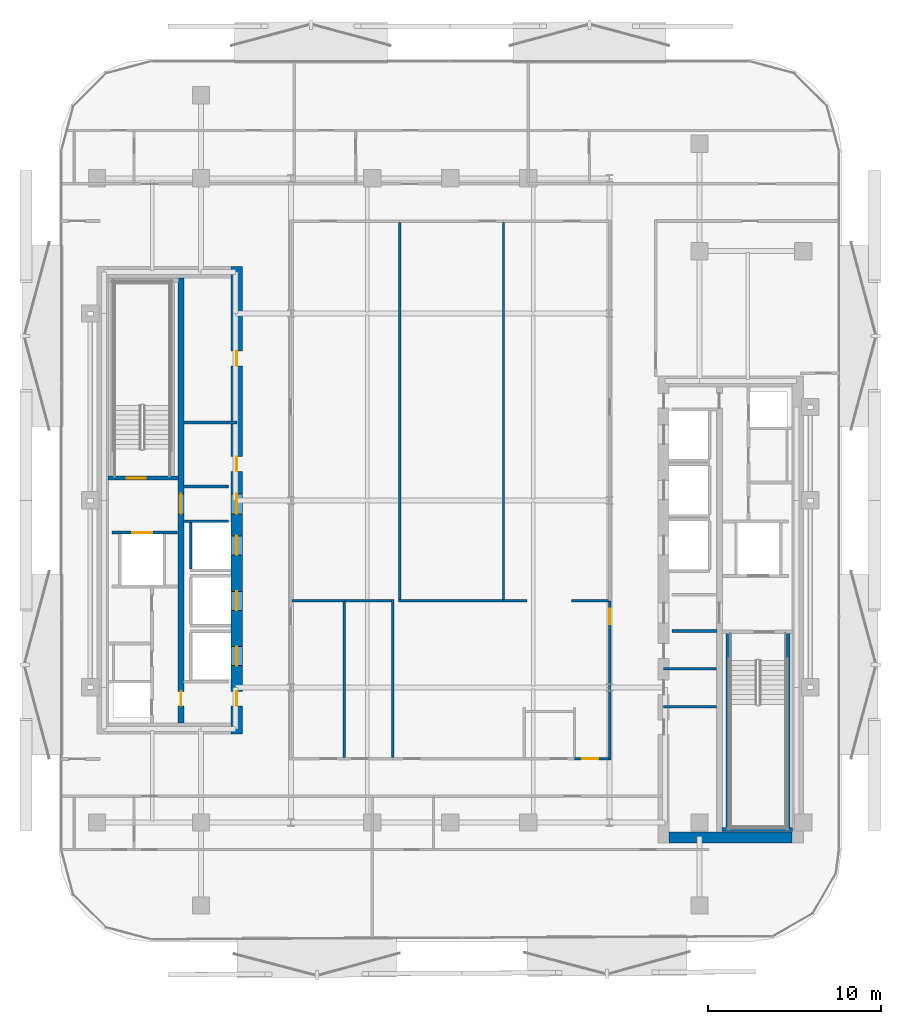
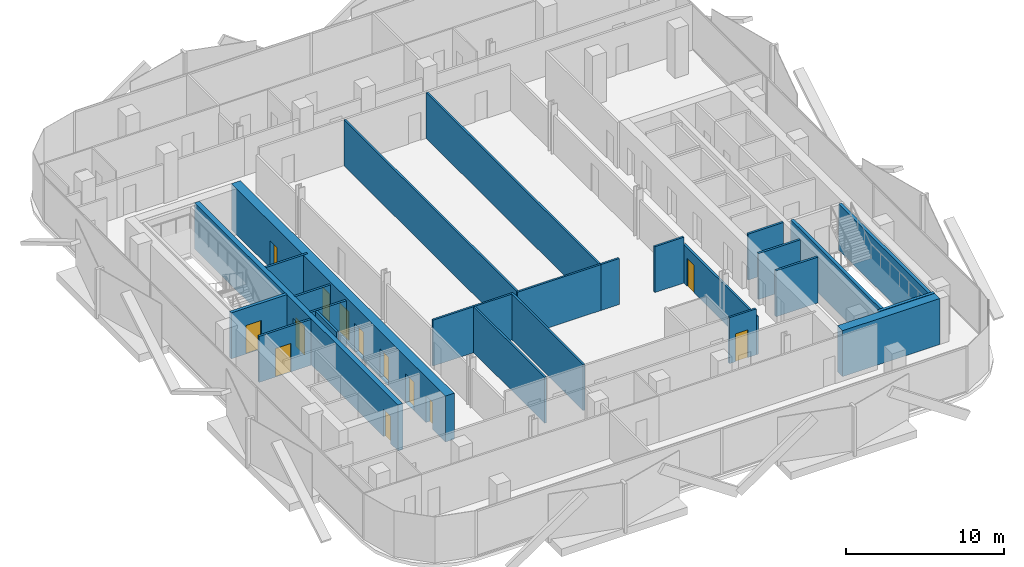
# One storey, part 4 of 16: 26 walls, 13 doors, 13 openings.
"""IFC4 building model written with IfcOpenShell, lengths in metres."""

from ifc_helpers import new_model, si_unit, direction, frame, frame_2d, origin, place, context, subcontext, project, spatial, rectangle, extrude, material, layer, layer_set, type_object, element, fill, save


model = new_model("IFC4")

# Units and contexts
model_context = context("Model", 3, precision=1e-05, world=origin(), true_north=direction((0.0, 1.0)))
body_context = subcontext(model_context, "Body", "Model", "MODEL_VIEW")
ifc_project = project(units=[si_unit("LENGTHUNIT", "METRE"), si_unit("AREAUNIT", "SQUARE_METRE"), si_unit("VOLUMEUNIT", "CUBIC_METRE"), si_unit("PLANEANGLEUNIT", "RADIAN"), si_unit("MASSUNIT", "GRAM", prefix="KILO")], contexts=[model_context])

# Site, building, storey
site_placement = place(None, origin())
site = spatial("IfcSite", under=ifc_project, at=site_placement, CompositionType="ELEMENT")
building_placement = place(site_placement, origin())
building = spatial("IfcBuilding", under=site, at=building_placement, Name="Khairoan Windgate Tower", CompositionType="ELEMENT")
storey_placement = place(building_placement, frame((0.0, 0.0, 184.0)))
storey = spatial("IfcBuildingStorey", under=building, at=storey_placement, Name="L42", CompositionType="ELEMENT", Elevation=184.0)

# Wall
ifc_material_1 = material(Name="Concrete C40/50", Category="concrete")
ifc_layer_1 = layer(ifc_material_1, 0.159912109375, Name="Concrete C40/50")
ifc_layer_set_1 = layer_set([ifc_layer_1], Name="Concrete C40/50")
wall_type_1 = type_object("IfcWallType", Name="Core and Hoistway Enclosure Wall", PredefinedType="STANDARD", material=ifc_layer_set_1)
wall_1_placement = place(storey_placement, frame((-14.989990234375, -3.949951171875, 0.0), z_axis=(0.0, 0.0, 1.0), x_axis=(0.0, 1.0, 0.0)))
element("IfcWall", 1, at=wall_1_placement, inside=storey, type_object=wall_type_1, Name="L42 Lift PL4 Hoistway Back Wall", PredefinedType="STANDARD", context=body_context, shape_type="SweptSolid", body=[
    extrude(rectangle(XDim=2.699951171875, YDim=0.159912109375, at=frame_2d((1.35009765625, 0.0))), origin(), (0.0, 0.0, 1.0), 3.5400390625),
])

# Wall, opening, door
wall_2_placement = place(storey_placement, frame((-19.550048828125, -1.860107421875, 0.0), z_axis=(0.0, 0.0, 1.0), x_axis=(1.0, 0.0, 0.0)))
wall_2 = element("IfcWall", 2, at=wall_2_placement, inside=storey, type_object=wall_type_1, Name="L42 Core Shaft Wall SW-FL2-L42", PredefinedType="STANDARD", context=body_context, shape_type="SweptSolid", body=[
    extrude(rectangle(XDim=3.800048828125, YDim=0.159912109375, at=frame_2d((1.89990234375, 0.0))), origin(), (0.0, 0.0, 1.0), 3.5400390625),
])
opening_1_placement = place(wall_2_placement, frame((1.179931640625, 0.0, 0.0)))
opening_1 = element("IfcOpeningElement", 3, at=opening_1_placement, cuts=wall_2, Name="Opening LD-FL", PredefinedType="OPENING", context=body_context, shape_type="SweptSolid", body=[
    extrude(rectangle(XDim=1.14990234375, YDim=2.199951171875, at=frame_2d((0.574951171875, 1.10009765625))), frame((0.0, 0.08984375, 0.0), z_axis=(0.0, -1.0, 0.0), x_axis=(1.0, 0.0, 0.0)), (0.0, 0.0, 1.0), 0.179931640625),
])
ifc_material_2 = material(Name="Steel S355", Category="steel")
door_type_1 = type_object("IfcDoorType", Name="Firefighting Lift Sliding Landing Door LD-FL 1150x2200", OperationType="DOUBLE_DOOR_SLIDING", PredefinedType="DOOR", material=ifc_material_2)
door_1_placement = place(opening_1_placement, origin())
door_1 = element("IfcDoor", 4, at=door_1_placement, inside=storey, type_object=door_type_1, Name="L42 Firefighting Lift FL2 Landing Door", OperationType="DOUBLE_DOOR_SLIDING", OverallHeight=2.199951171875, OverallWidth=1.14990234375, PredefinedType="DOOR", context=body_context, shape_type="SweptSolid", body=[
    extrude(rectangle(XDim=1.14990234375, YDim=2.199951171875, at=frame_2d((0.574951171875, 1.10009765625))), frame((0.0, 0.02490234375, 0.0), z_axis=(0.0, -1.0, 0.0), x_axis=(1.0, 0.0, 0.0)), (0.0, 0.0, 1.0), 0.050048828125),
])
fill(opening_1, door_1)

# Walls
for number, where, z_axis, x_axis, name in (
    (5, (-15.39990234375, 0.800048828125, 0.0), (0.0, 0.0, 1.0), (1.0, 0.0, 0.0), "L42 Core Shaft Wall SW-WV1-L42"),
    (6, (-15.39990234375, -1.199951171875, 0.0), (0.0, 0.0, 1.0), (1.0, 0.0, 0.0), "L42 Core Shaft Wall SW-WV2-L42"),
    (7, (12.800048828125, -7.5400390625, 0.0), (0.0, 0.0, 1.0), (1.0, 0.0, 0.0), "L42 Core Shaft Wall SW-EV2-L42"),
):
    element("IfcWall", number, at=place(storey_placement, frame(where, z_axis=z_axis, x_axis=x_axis)), inside=storey, type_object=wall_type_1, Name=name, PredefinedType="STANDARD", context=body_context, shape_type="SweptSolid", body=[
        extrude(rectangle(XDim=2.599853515625, YDim=0.159912109375, at=frame_2d((1.2998046875, 0.0))), origin(), (0.0, 0.0, 1.0), 3.5400390625),
    ])
ifc_material_3 = material(Name="Acoustic Fire-Rated Gypsum Partition", Category="gypsum")
ifc_layer_2 = layer(ifc_material_3, 0.139892578125, Name="Acoustic Fire-Rated Gypsum Partition")
ifc_layer_set_2 = layer_set([ifc_layer_2], Name="Acoustic Fire-Rated Gypsum Partition")
wall_type_2 = type_object("IfcWallType", Name="Inter-Tenancy Compartment Wall", PredefinedType="PARTITIONING", material=ifc_layer_set_2)
wall_3_placement = place(storey_placement, frame((-6.1201171875, -14.844970703125, 0.0), z_axis=(0.0, 0.0, 1.0), x_axis=(0.0, 1.0, 0.0)))
element("IfcWall", 8, at=wall_3_placement, inside=storey, type_object=wall_type_2, Name="L42 Interior Partition 040", PredefinedType="PARTITIONING", context=body_context, shape_type="SweptSolid", body=[
    extrude(rectangle(XDim=8.974853515625, YDim=0.139892578125, at=frame_2d((4.4873046875, 0.0))), origin(), (0.0, 0.0, 1.0), 3.5400390625),
])
wall_4_placement = place(storey_placement, frame((-9.14501953125, -5.800048828125, 0.0), z_axis=(0.0, 0.0, 1.0), x_axis=(1.0, 0.0, 0.0)))
element("IfcWall", 9, at=wall_4_placement, inside=storey, type_object=wall_type_2, Name="L42 Interior Partition 041", PredefinedType="PARTITIONING", context=body_context, shape_type="SweptSolid", body=[
    extrude(rectangle(XDim=3.02490234375, YDim=0.139892578125, at=frame_2d((1.512451171875, 0.0))), origin(), (0.0, 0.0, 1.0), 3.5400390625),
])
wall_5_placement = place(storey_placement, frame((-3.320068359375, -14.844970703125, 0.0), z_axis=(0.0, 0.0, 1.0), x_axis=(0.0, 1.0, 0.0)))
element("IfcWall", 10, at=wall_5_placement, inside=storey, type_object=wall_type_2, Name="L42 Interior Partition 042", PredefinedType="PARTITIONING", context=body_context, shape_type="SweptSolid", body=[
    extrude(rectangle(XDim=9.114990234375, YDim=0.139892578125, at=frame_2d((4.5576171875, 0.0))), origin(), (0.0, 0.0, 1.0), 3.5400390625),
])
wall_6_placement = place(storey_placement, frame((-6.1201171875, -5.800048828125, 0.0), z_axis=(0.0, 0.0, 1.0), x_axis=(1.0, 0.0, 0.0)))
element("IfcWall", 11, at=wall_6_placement, inside=storey, type_object=wall_type_2, Name="L42 Interior Partition 043", PredefinedType="PARTITIONING", context=body_context, shape_type="SweptSolid", body=[
    extrude(rectangle(XDim=2.730224609375, YDim=0.139892578125, at=frame_2d((1.365234375, 0.0))), origin(), (0.0, 0.0, 1.0), 3.5400390625),
])
wall_7_placement = place(storey_placement, frame((-2.989990234375, -5.800048828125, 0.0), z_axis=(0.0, 0.0, 1.0), x_axis=(1.0, 0.0, 0.0)))
element("IfcWall", 12, at=wall_7_placement, inside=storey, type_object=wall_type_2, Name="L42 Interior Partition 045", PredefinedType="PARTITIONING", context=body_context, shape_type="SweptSolid", body=[
    extrude(rectangle(XDim=6.070068359375, YDim=0.139892578125, at=frame_2d((3.03515625, 0.0))), origin(), (0.0, 0.0, 1.0), 3.5400390625),
])
wall_8_placement = place(storey_placement, frame((3.080078125, -5.800048828125, 0.0), z_axis=(0.0, 0.0, 1.0), x_axis=(1.0, 0.0, 0.0)))
element("IfcWall", 13, at=wall_8_placement, inside=storey, type_object=wall_type_2, Name="L42 Interior Partition 046", PredefinedType="PARTITIONING", context=body_context, shape_type="SweptSolid", body=[
    extrude(rectangle(XDim=1.35986328125, YDim=0.139892578125, at=frame_2d((0.679931640625, 0.0))), origin(), (0.0, 0.0, 1.0), 3.5400390625),
])
wall_9_placement = place(storey_placement, frame((7.02001953125, -5.800048828125, 0.0), z_axis=(0.0, 0.0, 1.0), x_axis=(1.0, 0.0, 0.0)))
element("IfcWall", 14, at=wall_9_placement, inside=storey, type_object=wall_type_2, Name="L42 Interior Partition 048", PredefinedType="PARTITIONING", context=body_context, shape_type="SweptSolid", body=[
    extrude(rectangle(XDim=2.125, YDim=0.139892578125, at=frame_2d((1.0625, 0.0))), origin(), (0.0, 0.0, 1.0), 3.5400390625),
])
for number, where, z_axis, x_axis, name in (
    (15, (-2.919921875, -5.72998046875, 0.0), (0.0, 0.0, 1.0), (0.0, 1.0, 0.0), "L42 Interior Partition 049"),
    (16, (3.080078125, -5.72998046875, 0.0), (0.0, 0.0, 1.0), (0.0, 1.0, 0.0), "L42 Interior Partition 050"),
):
    element("IfcWall", number, at=place(storey_placement, frame(where, z_axis=z_axis, x_axis=x_axis)), inside=storey, type_object=wall_type_2, Name=name, PredefinedType="PARTITIONING", context=body_context, shape_type="SweptSolid", body=[
        extrude(rectangle(XDim=21.77490234375, YDim=0.139892578125, at=frame_2d((10.887451171875, 0.0))), origin(), (0.0, 0.0, 1.0), 3.5400390625),
    ])
ifc_material_4 = material(Name="Concrete C40/50", Category="concrete")
ifc_layer_3 = layer(ifc_material_4, 0.159912109375, Name="Concrete C40/50")
ifc_layer_set_3 = layer_set([ifc_layer_3], Name="Concrete C40/50")
wall_type_3 = type_object("IfcWallType", Name="Plant and Refuge Compartment Wall", PredefinedType="PARTITIONING", material=ifc_layer_set_3)
for number, where, z_axis, x_axis, name in (
    (17, (-15.375, 4.5, 0.0), (0.0, 0.0, 1.0), (1.0, 0.0, 0.0), "L42 Interior Partition 006"),
    (18, (12.31005859375, -11.919921875, 0.0), (0.0, 0.0, 1.0), (1.0, 0.0, 0.0), "L42 Interior Partition 012"),
    (19, (12.31005859375, -9.719970703125, 0.0), (0.0, 0.0, 1.0), (1.0, 0.0, 0.0), "L42 Interior Partition 013"),
):
    element("IfcWall", number, at=place(storey_placement, frame(where, z_axis=z_axis, x_axis=x_axis)), inside=storey, type_object=wall_type_3, Name=name, PredefinedType="PARTITIONING", context=body_context, shape_type="SweptSolid", body=[
        extrude(rectangle(XDim=3.06494140625, YDim=0.159912109375, at=frame_2d((1.532470703125, 0.0))), origin(), (0.0, 0.0, 1.0), 3.5400390625),
    ])

# Wall, opening, door
ifc_material_5 = material(Name="Acoustic Fire-Rated Gypsum Partition", Category="gypsum")
ifc_layer_4 = layer(ifc_material_5, 0.14990234375, Name="Acoustic Fire-Rated Gypsum Partition")
ifc_layer_set_4 = layer_set([ifc_layer_4], Name="Acoustic Fire-Rated Gypsum Partition")
wall_type_4 = type_object("IfcWallType", Name="Rated Corridor Partition Wall", PredefinedType="PARTITIONING", material=ifc_layer_set_4)
wall_10_placement = place(storey_placement, frame((9.219970703125, -14.9951171875, 0.0), z_axis=(0.0, 0.0, 1.0), x_axis=(0.0, 1.0, 0.0)))
wall_10 = element("IfcWall", 20, at=wall_10_placement, inside=storey, type_object=wall_type_4, Name="L42 Interior Partition 016", PredefinedType="PARTITIONING", context=body_context, shape_type="SweptSolid", body=[
    extrude(rectangle(XDim=9.195068359375, YDim=0.14990234375, at=frame_2d((4.59765625, 0.0))), origin(), (0.0, 0.0, 1.0), 2.951904296875),
])
opening_2_placement = place(wall_10_placement, frame((7.8349609375, 0.0, 0.0)))
opening_2 = element("IfcOpeningElement", 21, at=opening_2_placement, cuts=wall_10, Name="Opening FD-ENT", PredefinedType="OPENING", context=body_context, shape_type="SweptSolid", body=[
    extrude(rectangle(XDim=0.89990234375, YDim=2.14990234375, at=frame_2d((0.449951171875, 1.074951171875))), frame((0.0, 0.0849609375, 0.0), z_axis=(0.0, -1.0, 0.0), x_axis=(1.0, 0.0, 0.0)), (0.0, 0.0, 1.0), 0.169921875),
])
ifc_material_6 = material(Name="Timber Fire-Rated Core", Category="wood")
door_type_2 = type_object("IfcDoorType", Name="Unit and Office Fire Entrance Door FD-ENT 900x2150", OperationType="NOTDEFINED", PredefinedType="DOOR", material=ifc_material_6)
door_2_placement = place(opening_2_placement, origin())
door_2 = element("IfcDoor", 22, at=door_2_placement, inside=storey, type_object=door_type_2, Name="L42 L42-31-L42-38 Door", OperationType="SINGLE_SWING_LEFT", OverallHeight=2.14990234375, OverallWidth=0.89990234375, PredefinedType="DOOR", context=body_context, shape_type="SweptSolid", body=[
    extrude(rectangle(XDim=0.89990234375, YDim=2.14990234375, at=frame_2d((0.449951171875, 1.074951171875))), frame((0.0, 0.02490234375, 0.0), z_axis=(0.0, -1.0, 0.0), x_axis=(1.0, 0.0, 0.0)), (0.0, 0.0, 1.0), 0.050048828125),
])
fill(opening_2, door_2)

wall_11_placement = place(storey_placement, frame((7.179931640625, -14.919921875, 0.0), z_axis=(0.0, 0.0, 1.0), x_axis=(1.0, 0.0, 0.0)))
wall_11 = element("IfcWall", 23, at=wall_11_placement, inside=storey, type_object=wall_type_4, Name="L42 Interior Partition 034", PredefinedType="PARTITIONING", context=body_context, shape_type="SweptSolid", body=[
    extrude(rectangle(XDim=1.965087890625, YDim=0.14990234375, at=frame_2d((0.982421875, 0.0))), origin(), (0.0, 0.0, 1.0), 3.5400390625),
])
opening_3_placement = place(wall_11_placement, frame((0.4599609375, 0.0, 0.0)))
opening_3 = element("IfcOpeningElement", 24, at=opening_3_placement, cuts=wall_11, Name="Opening FD-ENT", PredefinedType="OPENING", context=body_context, shape_type="SweptSolid", body=[
    extrude(rectangle(XDim=0.89990234375, YDim=2.14990234375, at=frame_2d((0.449951171875, 1.074951171875))), frame((0.0, 0.0849609375, 0.0), z_axis=(0.0, -1.0, 0.0), x_axis=(1.0, 0.0, 0.0)), (0.0, 0.0, 1.0), 0.169921875),
])
door_3_placement = place(opening_3_placement, origin())
door_3 = element("IfcDoor", 25, at=door_3_placement, inside=storey, type_object=door_type_2, Name="L42 L42-33-L42-38 Door", OperationType="SINGLE_SWING_RIGHT", OverallHeight=2.14990234375, OverallWidth=0.89990234375, PredefinedType="DOOR", context=body_context, shape_type="SweptSolid", body=[
    extrude(rectangle(XDim=0.89990234375, YDim=2.14990234375, at=frame_2d((0.449951171875, 1.074951171875))), frame((0.0, 0.02490234375, 0.0), z_axis=(0.0, -1.0, 0.0), x_axis=(1.0, 0.0, 0.0)), (0.0, 0.0, 1.0), 0.050048828125),
])
fill(opening_3, door_3)

# Wall
ifc_material_7 = material(Name="Concrete C60/75", Category="concrete")
ifc_layer_5 = layer(ifc_material_7, 0.64990234375, Name="Concrete C60/75")
ifc_layer_set_5 = layer_set([ifc_layer_5], Name="Concrete C60/75")
wall_type_5 = type_object("IfcWallType", Name="Shear Wall CW-E2 650mm", PredefinedType="SHEAR", material=ifc_layer_set_5)
wall_12_placement = place(storey_placement, frame((12.64990234375, -19.47509765625, 0.0), z_axis=(0.0, 0.0, 1.0), x_axis=(1.0, 0.0, 0.0)))
element("IfcWall", 26, at=wall_12_placement, inside=storey, type_object=wall_type_5, Name="E Core South Shear Wall L42", PredefinedType="SHEAR", context=body_context, shape_type="SweptSolid", body=[
    extrude(rectangle(XDim=7.10009765625, YDim=0.64990234375, at=frame_2d((3.550048828125, 0.0))), origin(), (0.0, 0.0, 1.0), 3.5400390625),
])

# Wall, openings, doors
ifc_material_8 = material(Name="Concrete C60/75", Category="concrete")
ifc_layer_6 = layer(ifc_material_8, 0.64990234375, Name="Concrete C60/75")
ifc_layer_set_6 = layer_set([ifc_layer_6], Name="Concrete C60/75")
wall_type_6 = type_object("IfcWallType", Name="Shear Wall CW-W2 650mm", PredefinedType="SHEAR", material=ifc_layer_set_6)
wall_13_placement = place(storey_placement, frame((-12.324951171875, -13.5, 0.0), z_axis=(0.0, 0.0, 1.0), x_axis=(0.0, 1.0, 0.0)))
wall_13 = element("IfcWall", 27, at=wall_13_placement, inside=storey, type_object=wall_type_6, Name="W Core East Shear Wall L42", PredefinedType="SHEAR", context=body_context, shape_type="SweptSolid", body=[
    extrude(rectangle(XDim=27.0, YDim=0.64990234375, at=frame_2d((13.5, 0.0))), origin(), (0.0, 0.0, 1.0), 3.5400390625),
])
opening_4_placement = place(wall_13_placement, frame((10.35009765625, 0.0, 0.0)))
opening_4 = element("IfcOpeningElement", 28, at=opening_4_placement, cuts=wall_13, Name="Opening LD-PL", PredefinedType="OPENING", context=body_context, shape_type="SweptSolid", body=[
    extrude(rectangle(XDim=1.10009765625, YDim=2.199951171875, at=frame_2d((0.550048828125, 1.10009765625))), frame((0.0, 0.3349609375, 0.0), z_axis=(0.0, -1.0, 0.0), x_axis=(1.0, 0.0, 0.0)), (0.0, 0.0, 1.0), 0.669921875),
])
opening_5_placement = place(wall_13_placement, frame((7.14990234375, 0.0, 0.0)))
opening_5 = element("IfcOpeningElement", 29, at=opening_5_placement, cuts=wall_13, Name="Opening LD-PL", PredefinedType="OPENING", context=body_context, shape_type="SweptSolid", body=[
    extrude(rectangle(XDim=1.10009765625, YDim=2.199951171875, at=frame_2d((0.550048828125, 1.10009765625))), frame((0.0, 0.3349609375, 0.0), z_axis=(0.0, -1.0, 0.0), x_axis=(1.0, 0.0, 0.0)), (0.0, 0.0, 1.0), 0.669921875),
])
opening_6_placement = place(wall_13_placement, frame((3.949951171875, 0.0, 0.0)))
opening_6 = element("IfcOpeningElement", 30, at=opening_6_placement, cuts=wall_13, Name="Opening LD-PL", PredefinedType="OPENING", context=body_context, shape_type="SweptSolid", body=[
    extrude(rectangle(XDim=1.10009765625, YDim=2.199951171875, at=frame_2d((0.550048828125, 1.10009765625))), frame((0.0, 0.3349609375, 0.0), z_axis=(0.0, -1.0, 0.0), x_axis=(1.0, 0.0, 0.0)), (0.0, 0.0, 1.0), 0.669921875),
])
opening_7_placement = place(wall_13_placement, frame((15.175048828125, 0.0, 0.0)))
opening_7 = element("IfcOpeningElement", 31, at=opening_7_placement, cuts=wall_13, Name="Opening FD-SRV", PredefinedType="OPENING", context=body_context, shape_type="SweptSolid", body=[
    extrude(rectangle(XDim=0.85009765625, YDim=2.10009765625, at=frame_2d((0.425048828125, 1.050048828125))), frame((0.0, 0.3349609375, 0.0), z_axis=(0.0, -1.0, 0.0), x_axis=(1.0, 0.0, 0.0)), (0.0, 0.0, 1.0), 0.669921875),
])
opening_8_placement = place(wall_13_placement, frame((21.27490234375, 0.0, 0.0)))
opening_8 = element("IfcOpeningElement", 32, at=opening_8_placement, cuts=wall_13, Name="Opening FD-SRV", PredefinedType="OPENING", context=body_context, shape_type="SweptSolid", body=[
    extrude(rectangle(XDim=0.85009765625, YDim=2.10009765625, at=frame_2d((0.425048828125, 1.050048828125))), frame((0.0, 0.3349609375, 0.0), z_axis=(0.0, -1.0, 0.0), x_axis=(1.0, 0.0, 0.0)), (0.0, 0.0, 1.0), 0.669921875),
])
opening_9_placement = place(wall_13_placement, frame((12.72509765625, 0.0, 0.0)))
opening_9 = element("IfcOpeningElement", 33, at=opening_9_placement, cuts=wall_13, Name="Opening FD-FFL", PredefinedType="OPENING", context=body_context, shape_type="SweptSolid", body=[
    extrude(rectangle(XDim=1.14990234375, YDim=2.199951171875, at=frame_2d((0.574951171875, 1.10009765625))), frame((0.0, 0.3349609375, 0.0), z_axis=(0.0, -1.0, 0.0), x_axis=(1.0, 0.0, 0.0)), (0.0, 0.0, 1.0), 0.669921875),
])
opening_10_placement = place(wall_13_placement, frame((1.625, 0.0, 0.0)))
opening_10 = element("IfcOpeningElement", 34, at=opening_10_placement, cuts=wall_13, Name="Opening FD-SRV", PredefinedType="OPENING", context=body_context, shape_type="SweptSolid", body=[
    extrude(rectangle(XDim=0.85009765625, YDim=2.10009765625, at=frame_2d((0.425048828125, 1.050048828125))), frame((0.0, 0.3349609375, 0.0), z_axis=(0.0, -1.0, 0.0), x_axis=(1.0, 0.0, 0.0)), (0.0, 0.0, 1.0), 0.669921875),
])
ifc_material_9 = material(Name="Steel S355", Category="steel")
door_type_3 = type_object("IfcDoorType", Name="Core Service and Riser Fire Door FD-SRV 850x2100", OperationType="NOTDEFINED", PredefinedType="DOOR", material=ifc_material_9)
door_4_placement = place(opening_7_placement, origin())
door_4 = element("IfcDoor", 35, at=door_4_placement, inside=storey, type_object=door_type_3, Name="L42 Upper Core Room Door B1-1", OperationType="SINGLE_SWING_RIGHT", OverallHeight=2.10009765625, OverallWidth=0.85009765625, PredefinedType="DOOR", context=body_context, shape_type="SweptSolid", body=[
    extrude(rectangle(XDim=0.85009765625, YDim=2.10009765625, at=frame_2d((0.425048828125, 1.050048828125))), frame((0.0, 0.02490234375, 0.0), z_axis=(0.0, -1.0, 0.0), x_axis=(1.0, 0.0, 0.0)), (0.0, 0.0, 1.0), 0.050048828125),
])
fill(opening_7, door_4)
door_5_placement = place(opening_8_placement, origin())
door_5 = element("IfcDoor", 36, at=door_5_placement, inside=storey, type_object=door_type_3, Name="L42 Upper Core Room Door B1-2", OperationType="SINGLE_SWING_LEFT", OverallHeight=2.10009765625, OverallWidth=0.85009765625, PredefinedType="DOOR", context=body_context, shape_type="SweptSolid", body=[
    extrude(rectangle(XDim=0.85009765625, YDim=2.10009765625, at=frame_2d((0.425048828125, 1.050048828125))), frame((0.0, 0.02490234375, 0.0), z_axis=(0.0, -1.0, 0.0), x_axis=(1.0, 0.0, 0.0)), (0.0, 0.0, 1.0), 0.050048828125),
])
fill(opening_8, door_5)
door_6_placement = place(opening_10_placement, origin())
door_6 = element("IfcDoor", 37, at=door_6_placement, inside=storey, type_object=door_type_3, Name="L42 West Core Service Vestibule Outer Door", OperationType="SINGLE_SWING_LEFT", OverallHeight=2.10009765625, OverallWidth=0.85009765625, PredefinedType="DOOR", context=body_context, shape_type="SweptSolid", body=[
    extrude(rectangle(XDim=0.85009765625, YDim=2.10009765625, at=frame_2d((0.425048828125, 1.050048828125))), frame((0.0, 0.02490234375, 0.0), z_axis=(0.0, -1.0, 0.0), x_axis=(1.0, 0.0, 0.0)), (0.0, 0.0, 1.0), 0.050048828125),
])
fill(opening_10, door_6)
ifc_material_10 = material(Name="Steel S355", Category="steel")
door_type_4 = type_object("IfcDoorType", Name="Firefighting Lobby Fire Door FD-FFL 1150x2200", OperationType="NOTDEFINED", PredefinedType="DOOR", material=ifc_material_10)
door_7_placement = place(opening_9_placement, origin())
door_7 = element("IfcDoor", 38, at=door_7_placement, inside=storey, type_object=door_type_4, Name="L42 West Core Vestibule Entry Door", OperationType="SINGLE_SWING_LEFT", OverallHeight=2.199951171875, OverallWidth=1.14990234375, PredefinedType="DOOR", context=body_context, shape_type="SweptSolid", body=[
    extrude(rectangle(XDim=1.14990234375, YDim=2.199951171875, at=frame_2d((0.574951171875, 1.10009765625))), frame((0.0, 0.02490234375, 0.0), z_axis=(0.0, -1.0, 0.0), x_axis=(1.0, 0.0, 0.0)), (0.0, 0.0, 1.0), 0.050048828125),
])
fill(opening_9, door_7)
ifc_material_11 = material(Name="Anodised Bronze Aluminium 6063-T6", Category="aluminium")
door_type_5 = type_object("IfcDoorType", Name="Passenger Lift Sliding Landing Door LD-PL 1100x2200", OperationType="DOUBLE_DOOR_SLIDING", PredefinedType="DOOR", material=ifc_material_11)
door_8_placement = place(opening_4_placement, origin())
door_8 = element("IfcDoor", 39, at=door_8_placement, inside=storey, type_object=door_type_5, Name="L42 Lift PL4 Sliding Landing Door", OperationType="DOUBLE_DOOR_SLIDING", OverallHeight=2.199951171875, OverallWidth=1.10009765625, PredefinedType="DOOR", context=body_context, shape_type="SweptSolid", body=[
    extrude(rectangle(XDim=1.10009765625, YDim=2.199951171875, at=frame_2d((0.550048828125, 1.10009765625))), frame((0.0, 0.02490234375, 0.0), z_axis=(0.0, -1.0, 0.0), x_axis=(1.0, 0.0, 0.0)), (0.0, 0.0, 1.0), 0.050048828125),
])
fill(opening_4, door_8)
door_9_placement = place(opening_5_placement, origin())
door_9 = element("IfcDoor", 40, at=door_9_placement, inside=storey, type_object=door_type_5, Name="L42 Lift PL5 Sliding Landing Door", OperationType="DOUBLE_DOOR_SLIDING", OverallHeight=2.199951171875, OverallWidth=1.10009765625, PredefinedType="DOOR", context=body_context, shape_type="SweptSolid", body=[
    extrude(rectangle(XDim=1.10009765625, YDim=2.199951171875, at=frame_2d((0.550048828125, 1.10009765625))), frame((0.0, 0.02490234375, 0.0), z_axis=(0.0, -1.0, 0.0), x_axis=(1.0, 0.0, 0.0)), (0.0, 0.0, 1.0), 0.050048828125),
])
fill(opening_5, door_9)
door_10_placement = place(opening_6_placement, origin())
door_10 = element("IfcDoor", 41, at=door_10_placement, inside=storey, type_object=door_type_5, Name="L42 Lift PL6 Sliding Landing Door", OperationType="DOUBLE_DOOR_SLIDING", OverallHeight=2.199951171875, OverallWidth=1.10009765625, PredefinedType="DOOR", context=body_context, shape_type="SweptSolid", body=[
    extrude(rectangle(XDim=1.10009765625, YDim=2.199951171875, at=frame_2d((0.550048828125, 1.10009765625))), frame((0.0, 0.02490234375, 0.0), z_axis=(0.0, -1.0, 0.0), x_axis=(1.0, 0.0, 0.0)), (0.0, 0.0, 1.0), 0.050048828125),
])
fill(opening_6, door_10)

ifc_material_12 = material(Name="Concrete C60/75", Category="concrete")
ifc_layer_7 = layer(ifc_material_12, 0.35009765625, Name="Concrete C60/75")
ifc_layer_set_7 = layer_set([ifc_layer_7], Name="Concrete C60/75")
wall_type_7 = type_object("IfcWallType", Name="Shear Wall SW-1 350mm", PredefinedType="SHEAR", material=ifc_layer_set_7)
wall_14_placement = place(storey_placement, frame((-15.550048828125, -12.85009765625, 0.0), z_axis=(0.0, 0.0, 1.0), x_axis=(0.0, 1.0, 0.0)))
wall_14 = element("IfcWall", 42, at=wall_14_placement, inside=storey, type_object=wall_type_7, Name="W Core Spine Shear Wall L42", PredefinedType="SHEAR", context=body_context, shape_type="SweptSolid", body=[
    extrude(rectangle(XDim=25.7001953125, YDim=0.35009765625, at=frame_2d((12.85009765625, 0.0))), origin(), (0.0, 0.0, 1.0), 3.5400390625),
])
opening_11_placement = place(wall_14_placement, frame((12.074951171875, 0.0, 0.0)))
opening_11 = element("IfcOpeningElement", 43, at=opening_11_placement, cuts=wall_14, Name="Opening FD-FFL", PredefinedType="OPENING", context=body_context, shape_type="SweptSolid", body=[
    extrude(rectangle(XDim=1.14990234375, YDim=2.199951171875, at=frame_2d((0.574951171875, 1.10009765625))), frame((0.0, 0.18505859375, 0.0), z_axis=(0.0, -1.0, 0.0), x_axis=(1.0, 0.0, 0.0)), (0.0, 0.0, 1.0), 0.3701171875),
])
opening_12_placement = place(wall_14_placement, frame((0.97509765625, 0.0, 0.0)))
opening_12 = element("IfcOpeningElement", 44, at=opening_12_placement, cuts=wall_14, Name="Opening FD-SRV", PredefinedType="OPENING", context=body_context, shape_type="SweptSolid", body=[
    extrude(rectangle(XDim=0.85009765625, YDim=2.10009765625, at=frame_2d((0.425048828125, 1.050048828125))), frame((0.0, 0.18505859375, 0.0), z_axis=(0.0, -1.0, 0.0), x_axis=(1.0, 0.0, 0.0)), (0.0, 0.0, 1.0), 0.3701171875),
])
door_11_placement = place(opening_12_placement, origin())
door_11 = element("IfcDoor", 45, at=door_11_placement, inside=storey, type_object=door_type_3, Name="L42 West Core Service Passage Inner Door", OperationType="SINGLE_SWING_RIGHT", OverallHeight=2.10009765625, OverallWidth=0.85009765625, PredefinedType="DOOR", context=body_context, shape_type="SweptSolid", body=[
    extrude(rectangle(XDim=0.85009765625, YDim=2.10009765625, at=frame_2d((0.425048828125, 1.050048828125))), frame((0.0, 0.02490234375, 0.0), z_axis=(0.0, -1.0, 0.0), x_axis=(1.0, 0.0, 0.0)), (0.0, 0.0, 1.0), 0.050048828125),
])
fill(opening_12, door_11)
door_12_placement = place(opening_11_placement, origin())
door_12 = element("IfcDoor", 46, at=door_12_placement, inside=storey, type_object=door_type_4, Name="L42 West Firefighting Lobby Fire Door", OperationType="SINGLE_SWING_RIGHT", OverallHeight=2.199951171875, OverallWidth=1.14990234375, PredefinedType="DOOR", context=body_context, shape_type="SweptSolid", body=[
    extrude(rectangle(XDim=1.14990234375, YDim=2.199951171875, at=frame_2d((0.574951171875, 1.10009765625))), frame((0.0, 0.02490234375, 0.0), z_axis=(0.0, -1.0, 0.0), x_axis=(1.0, 0.0, 0.0)), (0.0, 0.0, 1.0), 0.050048828125),
])
fill(opening_11, door_12)

# Walls
ifc_material_13 = material(Name="Concrete C50/60", Category="concrete")
ifc_layer_8 = layer(ifc_material_13, 0.219970703125, Name="Concrete C50/60")
ifc_layer_set_8 = layer_set([ifc_layer_8], Name="Concrete C50/60")
wall_type_8 = type_object("IfcWallType", Name="Shear Wall SW-ST 220mm", PredefinedType="SHEAR", material=ifc_layer_set_8)
for number, where, z_axis, x_axis, name in (
    (47, (16.0400390625, -19.010009765625, 0.0), (0.0, 0.0, 1.0), (0.0, 1.0, 0.0), "L42 Stair ST1 West Bearing Wall"),
    (48, (19.530029296875, -19.010009765625, 0.0), (0.0, 0.0, 1.0), (0.0, 1.0, 0.0), "L42 Stair ST1 East Bearing Wall"),
):
    element("IfcWall", number, at=place(storey_placement, frame(where, z_axis=z_axis, x_axis=x_axis)), inside=storey, type_object=wall_type_8, Name=name, PredefinedType="SHEAR", context=body_context, shape_type="SweptSolid", body=[
        extrude(rectangle(XDim=11.419921875, YDim=0.219970703125, at=frame_2d((5.7099609375, 0.0))), origin(), (0.0, 0.0, 1.0), 3.5400390625),
    ])
wall_15_placement = place(storey_placement, frame((15.705078125, -19.010009765625, 0.0), z_axis=(0.0, 0.0, 1.0), x_axis=(1.0, 0.0, 0.0)))
element("IfcWall", 49, at=wall_15_placement, inside=storey, type_object=wall_type_8, Name="L42 Stair ST1 South Bearing Wall", PredefinedType="SHEAR", context=body_context, shape_type="SweptSolid", body=[
    extrude(rectangle(XDim=4.06494140625, YDim=0.219970703125, at=frame_2d((2.032470703125, 0.0))), origin(), (0.0, 0.0, 1.0), 3.5400390625),
])

# Wall, opening, door
wall_16_placement = place(storey_placement, frame((-19.77001953125, 1.2900390625, 0.0), z_axis=(0.0, 0.0, 1.0), x_axis=(1.0, 0.0, 0.0)))
wall_16 = element("IfcWall", 50, at=wall_16_placement, inside=storey, type_object=wall_type_8, Name="L42 Stair ST2 South Bearing Wall", PredefinedType="SHEAR", context=body_context, shape_type="SweptSolid", body=[
    extrude(rectangle(XDim=4.06494140625, YDim=0.219970703125, at=frame_2d((2.032470703125, 0.0))), origin(), (0.0, 0.0, 1.0), 3.5400390625),
])
opening_13_placement = place(wall_16_placement, frame((1.080078125, 0.0, 0.0)))
opening_13 = element("IfcOpeningElement", 51, at=opening_13_placement, cuts=wall_16, Name="Opening FD-ST", PredefinedType="OPENING", context=body_context, shape_type="SweptSolid", body=[
    extrude(rectangle(XDim=1.10009765625, YDim=2.199951171875, at=frame_2d((0.550048828125, 1.10009765625))), frame((0.0, 0.119873046875, 0.0), z_axis=(0.0, -1.0, 0.0), x_axis=(1.0, 0.0, 0.0)), (0.0, 0.0, 1.0), 0.239990234375),
])
ifc_material_14 = material(Name="Steel S355", Category="steel")
door_type_6 = type_object("IfcDoorType", Name="Smokeproof Stair Fire Door FD-ST 1100x2200", OperationType="NOTDEFINED", PredefinedType="DOOR", material=ifc_material_14)
door_13_placement = place(opening_13_placement, origin())
door_13 = element("IfcDoor", 52, at=door_13_placement, inside=storey, type_object=door_type_6, Name="L42 Stair ST2 Fire Door", OperationType="SINGLE_SWING_LEFT", OverallHeight=2.199951171875, OverallWidth=1.10009765625, PredefinedType="DOOR", context=body_context, shape_type="SweptSolid", body=[
    extrude(rectangle(XDim=1.10009765625, YDim=2.199951171875, at=frame_2d((0.550048828125, 1.10009765625))), frame((0.0, 0.02490234375, 0.0), z_axis=(0.0, -1.0, 0.0), x_axis=(1.0, 0.0, 0.0)), (0.0, 0.0, 1.0), 0.050048828125),
])
fill(opening_13, door_13)

save(model, "model.ifc")
